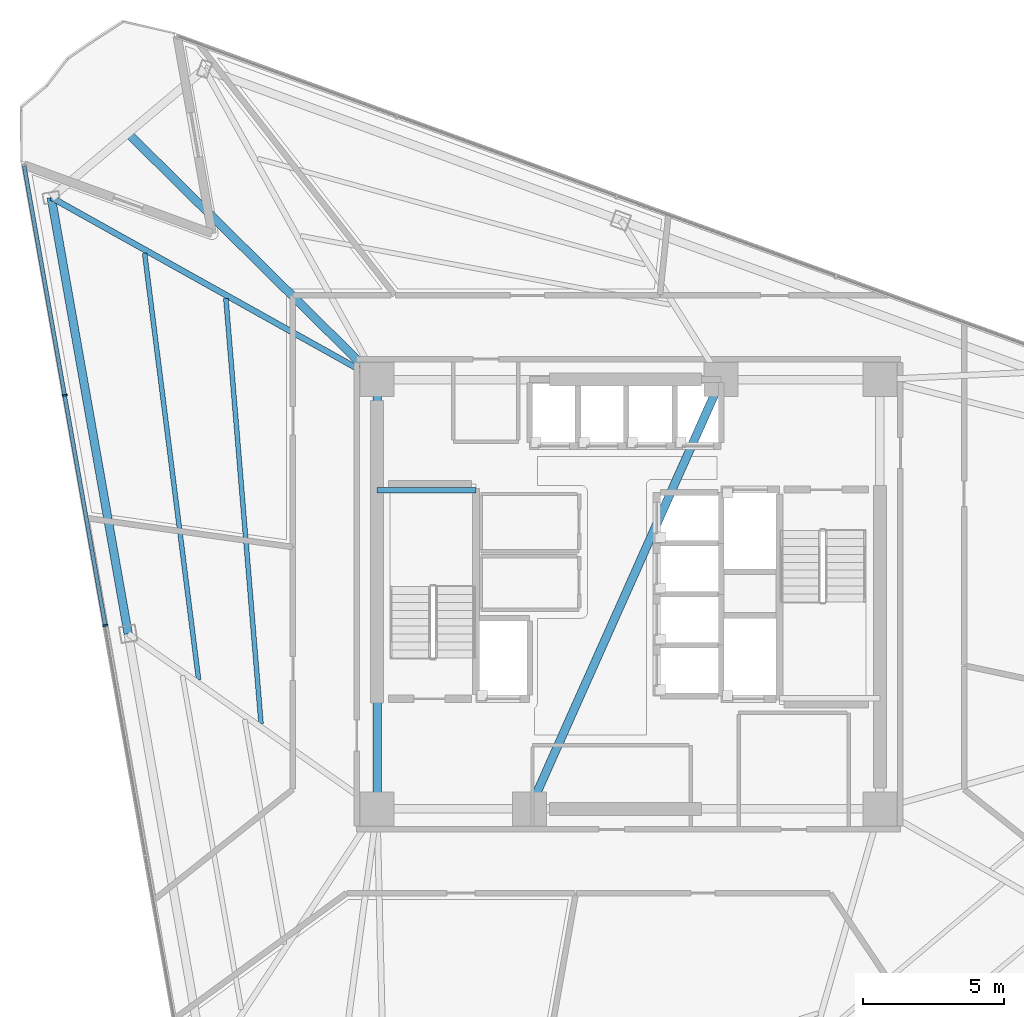
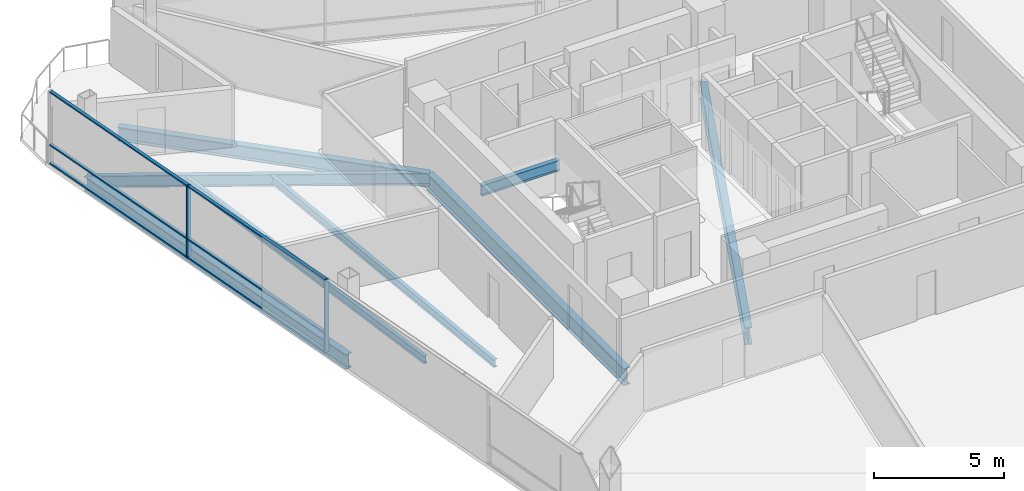
# One storey, part 5 of 16: 8 beams, 8 members, 1 element without a shape of its own.
"""IFC4 building model written with IfcOpenShell, lengths in metres."""

from ifc_helpers import new_model, si_unit, direction, frame, origin, origin_2d, place, context, subcontext, project, spatial, rectangle, i_section, extrude, material, layer, layer_set, material_profile, profile_set, type_object, element, aggregate, save


model = new_model("IFC4")

# Units and contexts
model_context = context("Model", 3, precision=1e-05, world=origin(), true_north=direction((0.0, 1.0)))
body_context = subcontext(model_context, "Body", "Model", "MODEL_VIEW")
ifc_project = project(units=[si_unit("LENGTHUNIT", "METRE"), si_unit("AREAUNIT", "SQUARE_METRE"), si_unit("VOLUMEUNIT", "CUBIC_METRE"), si_unit("PLANEANGLEUNIT", "RADIAN"), si_unit("MASSUNIT", "GRAM", prefix="KILO")], contexts=[model_context])

# Site, building, storey
site_placement = place(None, origin())
site = spatial("IfcSite", under=ifc_project, at=site_placement, CompositionType="ELEMENT")
building_placement = place(site_placement, origin())
building = spatial("IfcBuilding", under=site, at=building_placement, Name="Tharavind Bronze Gate", CompositionType="ELEMENT")
storey_placement = place(building_placement, frame((0.0, 0.0, 170.5)))
storey = spatial("IfcBuildingStorey", under=building, at=storey_placement, Name="L43", CompositionType="ELEMENT", Elevation=170.5)

# Curtain wall, members
ifc_material_1 = material(Name="Anodised Bronze Aluminium", Category="aluminium")
ifc_layer = layer(ifc_material_1, 0.219970703125)
ifc_layer_set = layer_set([ifc_layer], Name="Anodised Bronze Aluminium")
curtain_wall_type = type_object("IfcCurtainWallType", Name="UNITISED CURTAIN WALL MID OFFICE", PredefinedType="USERDEFINED", material=ifc_layer_set)
curtain_wall_placement = place(storey_placement, origin())
curtain_wall = element("IfcCurtainWall", 1, at=curtain_wall_placement, inside=storey, type_object=curtain_wall_type, Name="L43 unitised curtain wall mid office CW-L43-S1", ObjectType="UNITISED CURTAIN WALL", PredefinedType="USERDEFINED")
member_type_1 = type_object("IfcMemberType", Name="CURTAIN WALL BRONZE MULLION 65X180", PredefinedType="MULLION", material=ifc_material_1)
member_1_placement = place(storey_placement, frame((-19.9599609375, 7.044677734375, 0.0), z_axis=(0.0, 0.0, 1.0), x_axis=(0.173648177667, -0.984807753012, 0.0)))
member_1 = element("IfcMember", 2, at=member_1_placement, type_object=member_type_1, Name="CW-L43-S1 mullion 2", PredefinedType="MULLION", context=body_context, shape_type="SweptSolid", body=[
    extrude(rectangle(XDim=0.06494140625, YDim=0.179931640625, at=origin_2d()), origin(), (0.0, 0.0, 1.0), 3.419921875),
])
member_2_placement = place(storey_placement, frame((-18.5234375, -1.10302734375, 0.0), z_axis=(0.0, 0.0, 1.0), x_axis=(0.173648177667, -0.984807753012, 0.0)))
member_2 = element("IfcMember", 3, at=member_2_placement, type_object=member_type_1, Name="CW-L43-S1 mullion 3", PredefinedType="MULLION", context=body_context, shape_type="SweptSolid", body=[
    extrude(rectangle(XDim=0.06494140625, YDim=0.179931640625, at=origin_2d()), origin(), (0.0, 0.0, 1.0), 3.419921875),
])
member_type_2 = type_object("IfcMemberType", Name="CURTAIN WALL BRONZE TRANSOM 65X140", PredefinedType="USERDEFINED", material=ifc_material_1)
member_3_placement = place(storey_placement, frame((-20.678466796875, 11.118408203125, 0.0), z_axis=(0.0, 0.0, 1.0), x_axis=(0.173648177667, -0.984807753012, 0.0)))
member_3 = element("IfcMember", 4, at=member_3_placement, type_object=member_type_2, Name="CW-L43-S1 transom TB1", ObjectType="TRANSOM", PredefinedType="USERDEFINED", context=body_context, shape_type="SweptSolid", body=[
    extrude(rectangle(XDim=8.220458984375, YDim=0.139892578125, at=origin_2d()), origin(), (0.0, 0.0, 1.0), 0.06494140625),
])
member_4_placement = place(storey_placement, frame((-20.678466796875, 11.118408203125, 0.867431640625), z_axis=(0.0, 0.0, 1.0), x_axis=(0.173648177667, -0.984807753012, 0.0)))
member_4 = element("IfcMember", 5, at=member_4_placement, type_object=member_type_2, Name="CW-L43-S1 transom TS1", ObjectType="TRANSOM", PredefinedType="USERDEFINED", context=body_context, shape_type="SweptSolid", body=[
    extrude(rectangle(XDim=8.220458984375, YDim=0.139892578125, at=origin_2d()), origin(), (0.0, 0.0, 1.0), 0.06494140625),
])
member_5_placement = place(storey_placement, frame((-20.678466796875, 11.118408203125, 3.35498046875), z_axis=(0.0, 0.0, 1.0), x_axis=(0.173648177667, -0.984807753012, 0.0)))
member_5 = element("IfcMember", 6, at=member_5_placement, type_object=member_type_2, Name="CW-L43-S1 transom TT1", ObjectType="TRANSOM", PredefinedType="USERDEFINED", context=body_context, shape_type="SweptSolid", body=[
    extrude(rectangle(XDim=8.220458984375, YDim=0.139892578125, at=origin_2d()), origin(), (0.0, 0.0, 1.0), 0.06494140625),
])
member_6_placement = place(storey_placement, frame((-19.24169921875, 2.970703125, 0.0), z_axis=(0.0, 0.0, 1.0), x_axis=(0.173648177667, -0.984807753012, 0.0)))
member_6 = element("IfcMember", 7, at=member_6_placement, type_object=member_type_2, Name="CW-L43-S1 transom TB2", ObjectType="TRANSOM", PredefinedType="USERDEFINED", context=body_context, shape_type="SweptSolid", body=[
    extrude(rectangle(XDim=8.220458984375, YDim=0.139892578125, at=origin_2d()), origin(), (0.0, 0.0, 1.0), 0.06494140625),
])
member_7_placement = place(storey_placement, frame((-19.24169921875, 2.970703125, 0.867431640625), z_axis=(0.0, 0.0, 1.0), x_axis=(0.173648177667, -0.984807753012, 0.0)))
member_7 = element("IfcMember", 8, at=member_7_placement, type_object=member_type_2, Name="CW-L43-S1 transom TS2", ObjectType="TRANSOM", PredefinedType="USERDEFINED", context=body_context, shape_type="SweptSolid", body=[
    extrude(rectangle(XDim=8.220458984375, YDim=0.139892578125, at=origin_2d()), origin(), (0.0, 0.0, 1.0), 0.06494140625),
])
member_8_placement = place(storey_placement, frame((-19.24169921875, 2.970703125, 3.35498046875), z_axis=(0.0, 0.0, 1.0), x_axis=(0.173648177667, -0.984807753012, 0.0)))
member_8 = element("IfcMember", 9, at=member_8_placement, type_object=member_type_2, Name="CW-L43-S1 transom TT2", ObjectType="TRANSOM", PredefinedType="USERDEFINED", context=body_context, shape_type="SweptSolid", body=[
    extrude(rectangle(XDim=8.220458984375, YDim=0.139892578125, at=origin_2d()), origin(), (0.0, 0.0, 1.0), 0.06494140625),
])
aggregate(curtain_wall, [member_1, member_2, member_3, member_4, member_5, member_6, member_7, member_8])

# Beams
ifc_material_2 = material(Name="Steel S355", Category="steel")
ifc_material_profile_1 = material_profile(ifc_material_2, i_section(OverallWidth=0.300048828125, OverallDepth=0.64990234375, WebThickness=0.01611328125, FlangeThickness=0.031005859375, at=origin_2d()), Name="HE650B")
ifc_profile_set_1 = profile_set([ifc_material_profile_1], Name="Steel S355")
beam_type_1 = type_object("IfcBeamType", Name="PRIMARY GIRDER HE650B", PredefinedType="USERDEFINED", material=ifc_profile_set_1)
beam_1_placement = place(storey_placement, frame((-8.89990234375, 7.60009765625, -0.5048828125), z_axis=(-0.711218760843, 0.702970749196, 0.0), x_axis=(-0.702970749196, -0.711218760843, 0.0)))
element("IfcBeam", 10, at=beam_1_placement, inside=storey, type_object=beam_type_1, Name="L43 primary girder he650b BM-L43-BLCSB", ObjectType="GIRDER", PredefinedType="USERDEFINED", context=body_context, shape_type="SweptSolid", body=[
    extrude(i_section(OverallWidth=0.300048828125, OverallDepth=0.64990234375, WebThickness=0.01611328125, FlangeThickness=0.031005859375, at=origin_2d()), origin(), (0.0, 0.0, 1.0), 12.40234375),
])
ifc_material_profile_2 = material_profile(ifc_material_2, i_section(OverallWidth=0.199951171875, OverallDepth=0.5, WebThickness=0.01025390625, FlangeThickness=0.01611328125, at=origin_2d()), Name="IPE500")
ifc_profile_set_2 = profile_set([ifc_material_profile_2], Name="Steel S355")
beam_type_2 = type_object("IfcBeamType", Name="PRIMARY GIRDER IPE500", PredefinedType="USERDEFINED", material=ifc_profile_set_2)
beam_2_placement = place(storey_placement, frame((-8.89990234375, 3.679931640625, 1.35009765625), z_axis=(1.0, 0.0, 0.0), x_axis=(0.0, 1.0, 0.0)))
element("IfcBeam", 11, at=beam_2_placement, inside=storey, type_object=beam_type_2, Name="L43 primary girder ipe500 BM-LD-ST1-L43-1", ObjectType="GIRDER", PredefinedType="USERDEFINED", context=body_context, shape_type="SweptSolid", body=[
    extrude(i_section(OverallWidth=0.199951171875, OverallDepth=0.5, WebThickness=0.01025390625, FlangeThickness=0.01611328125, at=origin_2d()), origin(), (0.0, 0.0, 1.0), 3.5),
])
ifc_material_profile_3 = material_profile(ifc_material_2, i_section(OverallWidth=0.2099609375, OverallDepth=0.550048828125, WebThickness=0.010986328125, FlangeThickness=0.01708984375, at=origin_2d()), Name="IPE550")
ifc_profile_set_3 = profile_set([ifc_material_profile_3], Name="Steel S355")
beam_type_3 = type_object("IfcBeamType", Name="PRIMARY GIRDER IPE550", PredefinedType="USERDEFINED", material=ifc_profile_set_3)
beam_3_placement = place(storey_placement, frame((-20.4326171875, 14.043212890625, -0.455078125), z_axis=(0.872996251482, -0.487726916315, 0.0), x_axis=(0.487726916315, 0.872996251482, 0.0)))
element("IfcBeam", 12, at=beam_3_placement, inside=storey, type_object=beam_type_3, Name="L43 primary girder ipe550 BM-L43-RAD01", ObjectType="GIRDER", PredefinedType="USERDEFINED", context=body_context, shape_type="SweptSolid", body=[
    extrude(i_section(OverallWidth=0.2099609375, OverallDepth=0.550048828125, WebThickness=0.010986328125, FlangeThickness=0.01708984375, at=origin_2d()), origin(), (0.0, 0.0, 1.0), 13.21044921875),
])
ifc_material_profile_4 = material_profile(ifc_material_2, i_section(OverallWidth=0.300048828125, OverallDepth=0.699951171875, WebThickness=0.01708984375, FlangeThickness=0.031982421875, at=origin_2d()), Name="HE700B")
ifc_profile_set_4 = profile_set([ifc_material_profile_4], Name="Steel S355")
beam_type_4 = type_object("IfcBeamType", Name="RING GIRDER HE700B", PredefinedType="USERDEFINED", material=ifc_profile_set_4)
beam_4_placement = place(storey_placement, frame((-20.4326171875, 14.043212890625, -0.530029296875), z_axis=(0.173644998979, -0.984808313495, 0.0), x_axis=(0.984808313495, 0.173644998979, 0.0)))
element("IfcBeam", 13, at=beam_4_placement, inside=storey, type_object=beam_type_4, Name="L43 ring girder he700b BM-L43-PRG01", ObjectType="GIRDER", PredefinedType="USERDEFINED", context=body_context, shape_type="SweptSolid", body=[
    extrude(i_section(OverallWidth=0.300048828125, OverallDepth=0.699951171875, WebThickness=0.01708984375, FlangeThickness=0.031982421875, at=origin_2d()), origin(), (0.0, 0.0, 1.0), 15.680908203125),
])
ifc_material_profile_5 = material_profile(ifc_material_2, i_section(OverallWidth=0.300048828125, OverallDepth=0.800048828125, WebThickness=0.017578125, FlangeThickness=0.032958984375, at=origin_2d()), Name="HE800B")
ifc_profile_set_5 = profile_set([ifc_material_profile_5], Name="Steel S355")
beam_type_5 = type_object("IfcBeamType", Name="RING GIRDER HE800B", PredefinedType="USERDEFINED", material=ifc_profile_set_5)
beam_5_placement = place(storey_placement, frame((-8.89990234375, 7.60009765625, -0.580078125), z_axis=(0.0, -1.0, 0.0), x_axis=(1.0, 0.0, 0.0)))
element("IfcBeam", 14, at=beam_5_placement, inside=storey, type_object=beam_type_5, Name="L43 ring girder he800b BM-L43-CR6", ObjectType="GIRDER", PredefinedType="USERDEFINED", context=body_context, shape_type="SweptSolid", body=[
    extrude(i_section(OverallWidth=0.300048828125, OverallDepth=0.800048828125, WebThickness=0.017578125, FlangeThickness=0.032958984375, at=origin_2d()), origin(), (0.0, 0.0, 1.0), 15.2001953125),
])
beam_6_placement = place(storey_placement, frame((-3.5, -7.60009765625, -0.580078125), z_axis=(0.407361644566, 0.913266932795, 0.0), x_axis=(-0.913266932795, 0.407361644566, 0.0)))
element("IfcBeam", 15, at=beam_6_placement, inside=storey, type_object=beam_type_5, Name="L43 ring girder he800b BM-L43-CR7", ObjectType="GIRDER", PredefinedType="USERDEFINED", context=body_context, shape_type="SweptSolid", body=[
    extrude(i_section(OverallWidth=0.300048828125, OverallDepth=0.800048828125, WebThickness=0.017578125, FlangeThickness=0.032958984375, at=origin_2d()), origin(), (0.0, 0.0, 1.0), 16.643798828125),
])
ifc_material_profile_6 = material_profile(ifc_material_2, i_section(OverallWidth=0.169921875, OverallDepth=0.360107421875, WebThickness=0.008056640625, FlangeThickness=0.0126953125, at=origin_2d()), Name="IPE360")
ifc_profile_set_6 = profile_set([ifc_material_profile_6], Name="Steel S355")
beam_type_6 = type_object("IfcBeamType", Name="SECONDARY FLOOR JOIST IPE360", PredefinedType="JOIST", material=ifc_profile_set_6)
beam_7_placement = place(storey_placement, frame((-14.251953125, 10.466064453125, -0.360107421875), z_axis=(0.082410961919, -0.996598431343, 0.0), x_axis=(0.996598431343, 0.082410961919, 0.0)))
element("IfcBeam", 16, at=beam_7_placement, inside=storey, type_object=beam_type_6, Name="L43 secondary floor joist ipe360 BM-L43-JSTA01", PredefinedType="JOIST", context=body_context, shape_type="SweptSolid", body=[
    extrude(i_section(OverallWidth=0.169921875, OverallDepth=0.360107421875, WebThickness=0.008056640625, FlangeThickness=0.0126953125, at=origin_2d()), origin(), (0.0, 0.0, 1.0), 15.09375),
])
beam_8_placement = place(storey_placement, frame((-17.12890625, 12.073486328125, -0.360107421875), z_axis=(0.125636159432, -0.992076385891, 0.0), x_axis=(0.992076385891, 0.125636159432, 0.0)))
element("IfcBeam", 17, at=beam_8_placement, inside=storey, type_object=beam_type_6, Name="L43 secondary floor joist ipe360 BM-L43-JSTB01", PredefinedType="JOIST", context=body_context, shape_type="SweptSolid", body=[
    extrude(i_section(OverallWidth=0.169921875, OverallDepth=0.360107421875, WebThickness=0.008056640625, FlangeThickness=0.0126953125, at=origin_2d()), origin(), (0.0, 0.0, 1.0), 15.215576171875),
])

save(model, "model.ifc")
